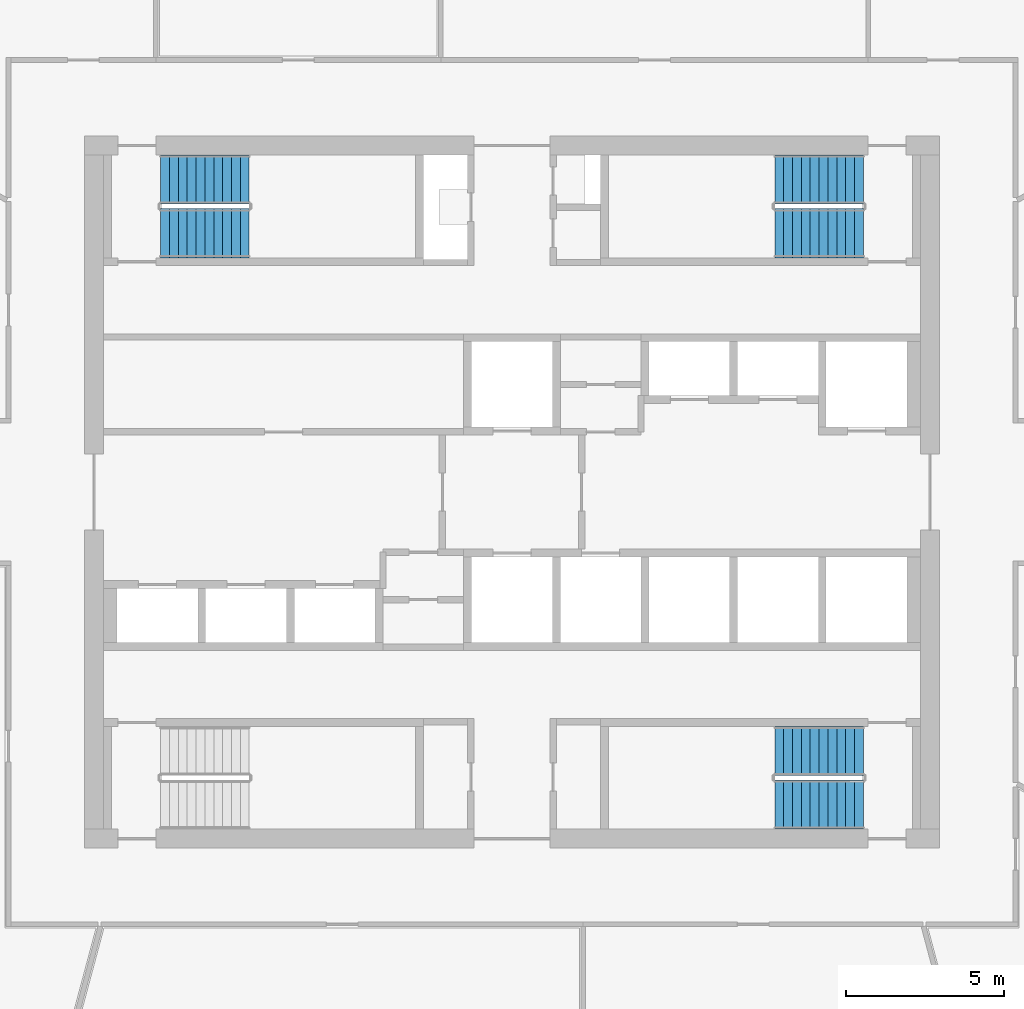
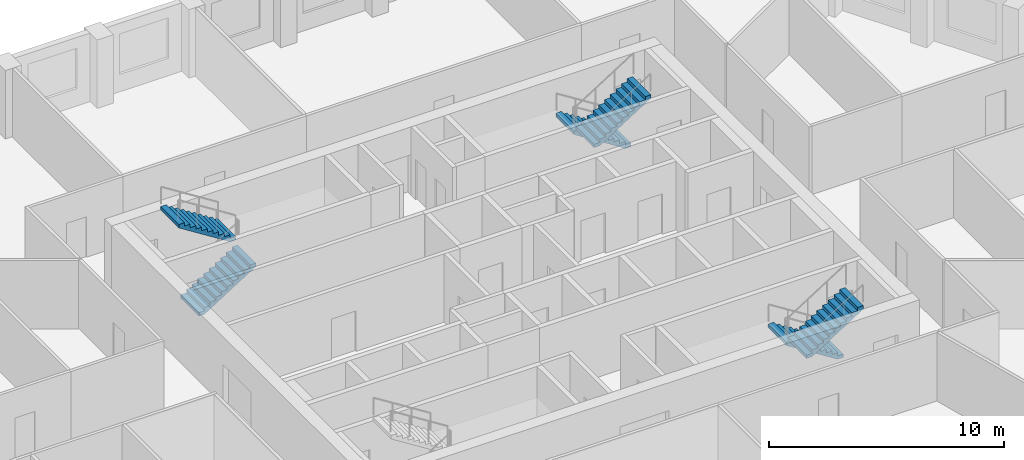
# One storey, part 7 of 11: 6 stair flights, 3 elements without a shape of their own.
"""IFC4 building model written with IfcOpenShell, lengths in metres."""

from ifc_helpers import new_model, si_unit, direction, frame, origin, place, context, subcontext, project, spatial, polyline, outline, extrude, material, type_object, element, aggregate, save


model = new_model("IFC4")

# Units and contexts
model_context = context("Model", 3, precision=1e-05, world=origin(), true_north=direction((0.0, 1.0)))
body_context = subcontext(model_context, "Body", "Model", "MODEL_VIEW")
ifc_project = project(units=[si_unit("LENGTHUNIT", "METRE"), si_unit("AREAUNIT", "SQUARE_METRE"), si_unit("VOLUMEUNIT", "CUBIC_METRE"), si_unit("PLANEANGLEUNIT", "RADIAN"), si_unit("MASSUNIT", "GRAM", prefix="KILO")], contexts=[model_context])

# Site, building, storey
site_placement = place(None, origin())
site = spatial("IfcSite", under=ifc_project, at=site_placement, CompositionType="ELEMENT")
building_placement = place(site_placement, origin())
building = spatial("IfcBuilding", under=site, at=building_placement, Name="Dhurran Vertical Campus", CompositionType="ELEMENT")
storey_placement = place(building_placement, frame((0.0, 0.0, 215.10009765625)))
storey = spatial("IfcBuildingStorey", under=building, at=storey_placement, Name="L53", CompositionType="ELEMENT", Elevation=215.10009765625)

# Stair, stair flights
ifc_material_1 = material(Name="Concrete C40/50", Category="concrete")
stair_type = type_object("IfcStairType", Name="co-ST-CORE", PredefinedType="HALF_TURN_STAIR", material=ifc_material_1)
stair_1_placement = place(storey_placement, origin())
stair_1 = element("IfcStair", 1, at=stair_1_placement, inside=storey, type_object=stair_type, Name="L53 Protected exit stair ST1", PredefinedType="HALF_TURN_STAIR")
ifc_material_2 = material(Name="Concrete C40/50", Category="concrete")
stair_flight_type = type_object("IfcStairFlightType", Name="co-SFL-RC", PredefinedType="STRAIGHT", material=ifc_material_2)
stair_flight_1_placement = place(storey_placement, frame((-11.10009765625, 8.175048828125, 0.0), z_axis=(0.0, 0.0, 1.0), x_axis=(1.0, 0.0, 0.0)))
stair_flight_1 = element("IfcStairFlight", 2, at=stair_flight_1_placement, type_object=stair_flight_type, Name="ST1 flight 1", NumberOfRisers=11, NumberOfTreads=10, PredefinedType="STRAIGHT", RiserHeight=0.177272727, TreadLength=0.28, context=body_context, shape_type="SweptSolid", body=[
    extrude(outline(polyline([(0.0, 0.0), (0.0, 0.17724609375), (0.280029296875, 0.17724609375), (0.280029296875, 0.3544921875), (0.56005859375, 0.3544921875), (0.56005859375, 0.53173828125), (0.840087890625, 0.53173828125), (0.840087890625, 0.708984375), (1.1201171875, 0.708984375), (1.1201171875, 0.886474609375), (1.39990234375, 0.886474609375), (1.39990234375, 1.063720703125), (1.679931640625, 1.063720703125), (1.679931640625, 1.240966796875), (1.9599609375, 1.240966796875), (1.9599609375, 1.418212890625), (2.239990234375, 1.418212890625), (2.239990234375, 1.595458984375), (2.52001953125, 1.595458984375), (2.52001953125, 1.772705078125), (2.800048828125, 1.772705078125), (2.800048828125, 1.949951171875), (2.800048828125, 1.59521484375), (0.2802734375, 0.0), (0.0, 0.0)])), frame((0.0, 0.77490234375, 0.0), z_axis=(0.0, -1.0, 0.0), x_axis=(1.0, 0.0, 0.0)), (0.0, 0.0, 1.0), 1.550048828125),
])
stair_flight_2_placement = place(storey_placement, frame((-8.300048828125, 9.875, 1.949951171875), z_axis=(0.0, 0.0, 1.0), x_axis=(-1.0, 0.0, 0.0)))
stair_flight_2 = element("IfcStairFlight", 3, at=stair_flight_2_placement, type_object=stair_flight_type, Name="ST1 flight 2", NumberOfRisers=11, NumberOfTreads=10, PredefinedType="STRAIGHT", RiserHeight=0.177272727, TreadLength=0.28, context=body_context, shape_type="SweptSolid", body=[
    extrude(outline(polyline([(0.0, 0.0), (0.0, 0.17724609375), (0.280029296875, 0.17724609375), (0.280029296875, 0.3544921875), (0.56005859375, 0.3544921875), (0.56005859375, 0.53173828125), (0.840087890625, 0.53173828125), (0.840087890625, 0.708984375), (1.1201171875, 0.708984375), (1.1201171875, 0.886474609375), (1.39990234375, 0.886474609375), (1.39990234375, 1.063720703125), (1.679931640625, 1.063720703125), (1.679931640625, 1.240966796875), (1.9599609375, 1.240966796875), (1.9599609375, 1.418212890625), (2.239990234375, 1.418212890625), (2.239990234375, 1.595458984375), (2.52001953125, 1.595458984375), (2.52001953125, 1.772705078125), (2.800048828125, 1.772705078125), (2.800048828125, 1.949951171875), (2.800048828125, 1.59521484375), (0.2802734375, 0.0), (0.0, 0.0)])), frame((0.0, 0.77490234375, 0.0), z_axis=(0.0, -1.0, 0.0), x_axis=(1.0, 0.0, 0.0)), (0.0, 0.0, 1.0), 1.550048828125),
])
aggregate(stair_1, [stair_flight_1, stair_flight_2])

stair_2_placement = place(storey_placement, origin())
stair_2 = element("IfcStair", 4, at=stair_2_placement, inside=storey, type_object=stair_type, Name="L53 Protected exit stair ST2", PredefinedType="HALF_TURN_STAIR")
stair_flight_3_placement = place(storey_placement, frame((11.10009765625, 9.875, 0.0), z_axis=(0.0, 0.0, 1.0), x_axis=(-1.0, 0.0, 0.0)))
stair_flight_3 = element("IfcStairFlight", 5, at=stair_flight_3_placement, type_object=stair_flight_type, Name="ST2 flight 1", NumberOfRisers=11, NumberOfTreads=10, PredefinedType="STRAIGHT", RiserHeight=0.177272727, TreadLength=0.28, context=body_context, shape_type="SweptSolid", body=[
    extrude(outline(polyline([(0.0, 0.0), (0.0, 0.17724609375), (0.280029296875, 0.17724609375), (0.280029296875, 0.3544921875), (0.56005859375, 0.3544921875), (0.56005859375, 0.53173828125), (0.840087890625, 0.53173828125), (0.840087890625, 0.708984375), (1.1201171875, 0.708984375), (1.1201171875, 0.886474609375), (1.39990234375, 0.886474609375), (1.39990234375, 1.063720703125), (1.679931640625, 1.063720703125), (1.679931640625, 1.240966796875), (1.9599609375, 1.240966796875), (1.9599609375, 1.418212890625), (2.239990234375, 1.418212890625), (2.239990234375, 1.595458984375), (2.52001953125, 1.595458984375), (2.52001953125, 1.772705078125), (2.800048828125, 1.772705078125), (2.800048828125, 1.949951171875), (2.800048828125, 1.59521484375), (0.2802734375, 0.0), (0.0, 0.0)])), frame((0.0, 0.77490234375, 0.0), z_axis=(0.0, -1.0, 0.0), x_axis=(1.0, 0.0, 0.0)), (0.0, 0.0, 1.0), 1.550048828125),
])
stair_flight_4_placement = place(storey_placement, frame((8.300048828125, 8.175048828125, 1.949951171875), z_axis=(0.0, 0.0, 1.0), x_axis=(1.0, 0.0, 0.0)))
stair_flight_4 = element("IfcStairFlight", 6, at=stair_flight_4_placement, type_object=stair_flight_type, Name="ST2 flight 2", NumberOfRisers=11, NumberOfTreads=10, PredefinedType="STRAIGHT", RiserHeight=0.177272727, TreadLength=0.28, context=body_context, shape_type="SweptSolid", body=[
    extrude(outline(polyline([(0.0, 0.0), (0.0, 0.17724609375), (0.280029296875, 0.17724609375), (0.280029296875, 0.3544921875), (0.56005859375, 0.3544921875), (0.56005859375, 0.53173828125), (0.840087890625, 0.53173828125), (0.840087890625, 0.708984375), (1.1201171875, 0.708984375), (1.1201171875, 0.886474609375), (1.39990234375, 0.886474609375), (1.39990234375, 1.063720703125), (1.679931640625, 1.063720703125), (1.679931640625, 1.240966796875), (1.9599609375, 1.240966796875), (1.9599609375, 1.418212890625), (2.239990234375, 1.418212890625), (2.239990234375, 1.595458984375), (2.52001953125, 1.595458984375), (2.52001953125, 1.772705078125), (2.800048828125, 1.772705078125), (2.800048828125, 1.949951171875), (2.800048828125, 1.59521484375), (0.2802734375, 0.0), (0.0, 0.0)])), frame((0.0, 0.77490234375, 0.0), z_axis=(0.0, -1.0, 0.0), x_axis=(1.0, 0.0, 0.0)), (0.0, 0.0, 1.0), 1.550048828125),
])
aggregate(stair_2, [stair_flight_3, stair_flight_4])

stair_3_placement = place(storey_placement, origin())
stair_3 = element("IfcStair", 7, at=stair_3_placement, inside=storey, type_object=stair_type, Name="L53 Protected exit stair ST4", PredefinedType="HALF_TURN_STAIR")
stair_flight_5_placement = place(storey_placement, frame((11.10009765625, -8.175048828125, 0.0), z_axis=(0.0, 0.0, 1.0), x_axis=(-1.0, 0.0, 0.0)))
stair_flight_5 = element("IfcStairFlight", 8, at=stair_flight_5_placement, type_object=stair_flight_type, Name="ST4 flight 1", NumberOfRisers=11, NumberOfTreads=10, PredefinedType="STRAIGHT", RiserHeight=0.177272727, TreadLength=0.28, context=body_context, shape_type="SweptSolid", body=[
    extrude(outline(polyline([(0.0, 0.0), (0.0, 0.17724609375), (0.280029296875, 0.17724609375), (0.280029296875, 0.3544921875), (0.56005859375, 0.3544921875), (0.56005859375, 0.53173828125), (0.840087890625, 0.53173828125), (0.840087890625, 0.708984375), (1.1201171875, 0.708984375), (1.1201171875, 0.886474609375), (1.39990234375, 0.886474609375), (1.39990234375, 1.063720703125), (1.679931640625, 1.063720703125), (1.679931640625, 1.240966796875), (1.9599609375, 1.240966796875), (1.9599609375, 1.418212890625), (2.239990234375, 1.418212890625), (2.239990234375, 1.595458984375), (2.52001953125, 1.595458984375), (2.52001953125, 1.772705078125), (2.800048828125, 1.772705078125), (2.800048828125, 1.949951171875), (2.800048828125, 1.59521484375), (0.2802734375, 0.0), (0.0, 0.0)])), frame((0.0, 0.77490234375, 0.0), z_axis=(0.0, -1.0, 0.0), x_axis=(1.0, 0.0, 0.0)), (0.0, 0.0, 1.0), 1.550048828125),
])
stair_flight_6_placement = place(storey_placement, frame((8.300048828125, -9.875, 1.949951171875), z_axis=(0.0, 0.0, 1.0), x_axis=(1.0, 0.0, 0.0)))
stair_flight_6 = element("IfcStairFlight", 9, at=stair_flight_6_placement, type_object=stair_flight_type, Name="ST4 flight 2", NumberOfRisers=11, NumberOfTreads=10, PredefinedType="STRAIGHT", RiserHeight=0.177272727, TreadLength=0.28, context=body_context, shape_type="SweptSolid", body=[
    extrude(outline(polyline([(0.0, 0.0), (0.0, 0.17724609375), (0.280029296875, 0.17724609375), (0.280029296875, 0.3544921875), (0.56005859375, 0.3544921875), (0.56005859375, 0.53173828125), (0.840087890625, 0.53173828125), (0.840087890625, 0.708984375), (1.1201171875, 0.708984375), (1.1201171875, 0.886474609375), (1.39990234375, 0.886474609375), (1.39990234375, 1.063720703125), (1.679931640625, 1.063720703125), (1.679931640625, 1.240966796875), (1.9599609375, 1.240966796875), (1.9599609375, 1.418212890625), (2.239990234375, 1.418212890625), (2.239990234375, 1.595458984375), (2.52001953125, 1.595458984375), (2.52001953125, 1.772705078125), (2.800048828125, 1.772705078125), (2.800048828125, 1.949951171875), (2.800048828125, 1.59521484375), (0.2802734375, 0.0), (0.0, 0.0)])), frame((0.0, 0.77490234375, 0.0), z_axis=(0.0, -1.0, 0.0), x_axis=(1.0, 0.0, 0.0)), (0.0, 0.0, 1.0), 1.550048828125),
])
aggregate(stair_3, [stair_flight_5, stair_flight_6])

save(model, "model.ifc")
